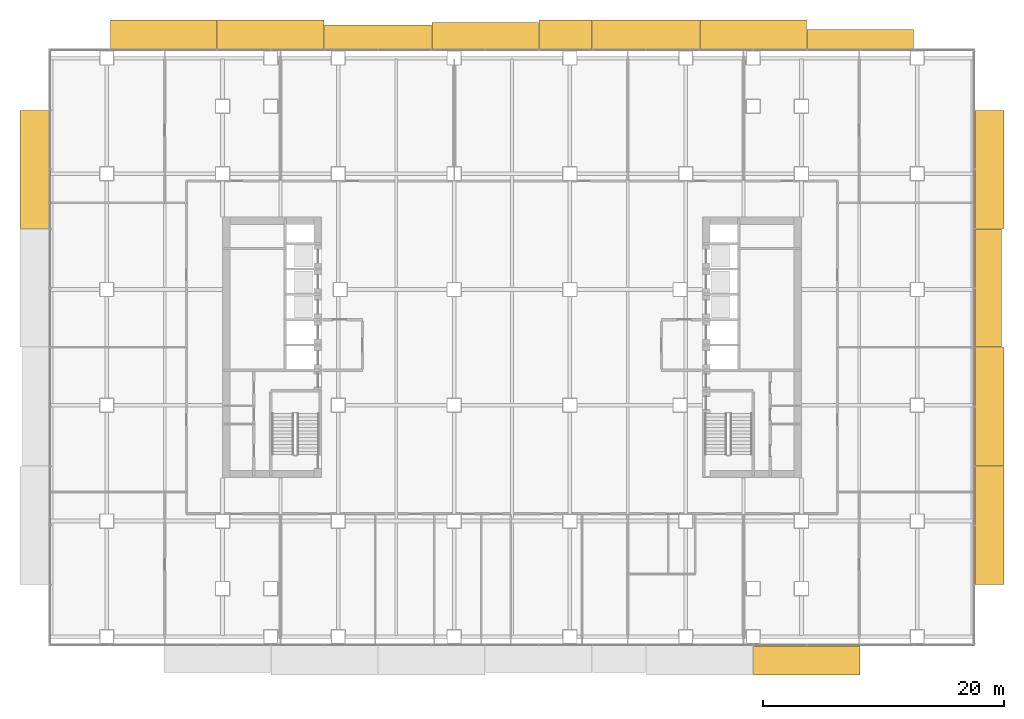
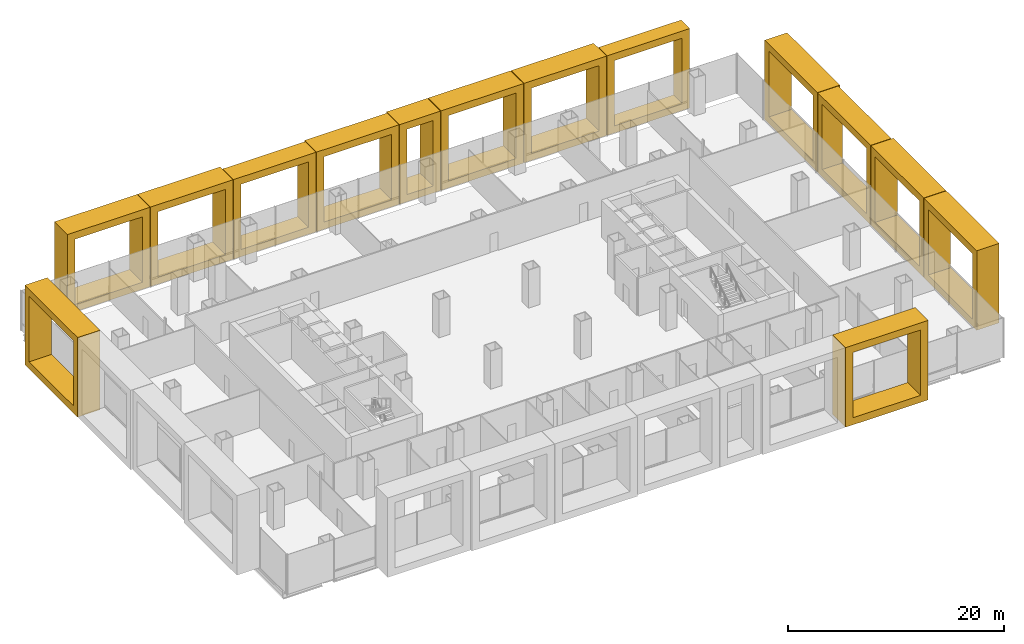
# One storey, part 22 of 23: 14 coverings.
"""IFC4 building model written with IfcOpenShell, lengths in metres."""

from ifc_helpers import new_model, si_unit, direction, frame, origin, place, context, subcontext, project, spatial, polyline, outline, extrude, material, type_object, element, save


model = new_model("IFC4")

# Units and contexts
model_context = context("Model", 3, precision=1e-05, world=origin(), true_north=direction((0.0, 1.0)))
body_context = subcontext(model_context, "Body", "Model", "MODEL_VIEW")
ifc_project = project(units=[si_unit("LENGTHUNIT", "METRE"), si_unit("AREAUNIT", "SQUARE_METRE"), si_unit("VOLUMEUNIT", "CUBIC_METRE"), si_unit("PLANEANGLEUNIT", "RADIAN"), si_unit("MASSUNIT", "GRAM", prefix="KILO")], contexts=[model_context])

# Site, building, storey
site_placement = place(None, origin())
site = spatial("IfcSite", under=ifc_project, at=site_placement, CompositionType="ELEMENT")
building_placement = place(site_placement, origin())
building = spatial("IfcBuilding", under=site, at=building_placement, Name="Cobrizo Arcos Hotel Tower", CompositionType="ELEMENT")
storey_placement = place(building_placement, frame((0.0, 0.0, 24.5)))
storey = spatial("IfcBuildingStorey", under=building, at=storey_placement, Name="L04", CompositionType="ELEMENT", Elevation=24.5)

# Coverings
ifc_material = material(Name="Aluminium 6063-T6 anodised bronze", Category="aluminium")
covering_type_1 = type_object("IfcCoveringType", Name="FIN-F 1600", PredefinedType="CLADDING", material=ifc_material)
covering_1_placement = place(storey_placement, frame((33.308349609375, 24.75, 0.0), z_axis=(0.0, 1.0, 0.0), x_axis=(-1.0, 0.0, 0.0)))
element("IfcCovering", 1, at=covering_1_placement, inside=storey, type_object=covering_type_1, Name="Fin frame 468", PredefinedType="CLADDING", context=body_context, shape_type="SweptSolid", body=[
    extrude(outline(polyline([(0.0, 9.0), (0.0, 0.0), (8.8388671875, 0.0), (8.8388671875, 9.0), (0.0, 9.0)]), holes=[polyline([(8.038818359375, 0.800048828125), (0.800048828125, 0.800048828125), (0.800048828125, 8.199951171875), (8.038818359375, 8.199951171875), (8.038818359375, 0.800048828125)])]), origin(), (0.0, 0.0, 1.0), 1.60009765625),
])
covering_type_2 = type_object("IfcCoveringType", Name="FIN-F 2000", PredefinedType="CLADDING", material=ifc_material)
covering_2_placement = place(storey_placement, frame((-6.691650390625, 24.75, 0.0), z_axis=(0.0, 1.0, 0.0), x_axis=(-1.0, 0.0, 0.0)))
element("IfcCovering", 2, at=covering_2_placement, inside=storey, type_object=covering_type_2, Name="Fin frame 473", PredefinedType="CLADDING", context=body_context, shape_type="SweptSolid", body=[
    extrude(outline(polyline([(0.0, 9.0), (0.0, 0.0), (8.8388671875, 0.0), (8.8388671875, 9.0), (0.0, 9.0)]), holes=[polyline([(8.038818359375, 0.800048828125), (0.800048828125, 0.800048828125), (0.800048828125, 8.199951171875), (8.038818359375, 8.199951171875), (8.038818359375, 0.800048828125)])]), origin(), (0.0, 0.0, 1.0), 2.0),
])
covering_type_3 = type_object("IfcCoveringType", Name="FIN-F 2200", PredefinedType="CLADDING", material=ifc_material)
covering_3_placement = place(storey_placement, frame((2.197265625, 24.75, 0.0), z_axis=(0.0, 1.0, 0.0), x_axis=(-1.0, 0.0, 0.0)))
element("IfcCovering", 3, at=covering_3_placement, inside=storey, type_object=covering_type_3, Name="Fin frame 472", PredefinedType="CLADDING", context=body_context, shape_type="SweptSolid", body=[
    extrude(outline(polyline([(0.0, 9.0), (0.0, 0.0), (8.8388671875, 0.0), (8.8388671875, 9.0), (0.0, 9.0)]), holes=[polyline([(8.038818359375, 0.800048828125), (0.800048828125, 0.800048828125), (0.800048828125, 8.199951171875), (8.038818359375, 8.199951171875), (8.038818359375, 0.800048828125)])]), origin(), (0.0, 0.0, 1.0), 2.199951171875),
])
covering_4_placement = place(storey_placement, frame((38.39990234375, 0.02490234375, 0.0), z_axis=(1.0, 0.0, 0.0), x_axis=(0.0, 1.0, 0.0)))
element("IfcCovering", 4, at=covering_4_placement, inside=storey, type_object=covering_type_3, Name="Fin frame 482", PredefinedType="CLADDING", context=body_context, shape_type="SweptSolid", body=[
    extrude(outline(polyline([(0.0, 9.0), (0.0, 0.0), (9.7900390625, 0.0), (9.7900390625, 9.0), (0.0, 9.0)]), holes=[polyline([(8.989990234375, 0.800048828125), (0.800048828125, 0.800048828125), (0.800048828125, 8.199951171875), (8.989990234375, 8.199951171875), (8.989990234375, 0.800048828125)])]), origin(), (0.0, 0.0, 1.0), 2.2001953125),
])
covering_type_4 = type_object("IfcCoveringType", Name="FIN-F 2400", PredefinedType="CLADDING", material=ifc_material)
for number, where, z_axis, x_axis, name in (
    (5, (24.41943359375, 24.75, 0.0), (0.0, 1.0, 0.0), (-1.0, 0.0, 0.0), "Fin frame 469"),
    (6, (15.530517578125, 24.75, 0.0), (0.0, 1.0, 0.0), (-1.0, 0.0, 0.0), "Fin frame 470"),
):
    element("IfcCovering", number, at=place(storey_placement, frame(where, z_axis=z_axis, x_axis=x_axis)), inside=storey, type_object=covering_type_4, Name=name, PredefinedType="CLADDING", context=body_context, shape_type="SweptSolid", body=[
        extrude(outline(polyline([(0.0, 9.0), (0.0, 0.0), (8.8388671875, 0.0), (8.8388671875, 9.0), (0.0, 9.0)]), holes=[polyline([(8.038818359375, 0.800048828125), (0.800048828125, 0.800048828125), (0.800048828125, 8.199951171875), (8.038818359375, 8.199951171875), (8.038818359375, 0.800048828125)])]), origin(), (0.0, 0.0, 1.0), 2.39990234375),
    ])
covering_5_placement = place(storey_placement, frame((6.6416015625, 24.75, 0.0), z_axis=(0.0, 1.0, 0.0), x_axis=(-1.0, 0.0, 0.0)))
element("IfcCovering", 7, at=covering_5_placement, inside=storey, type_object=covering_type_4, Name="Fin frame 471", PredefinedType="CLADDING", context=body_context, shape_type="SweptSolid", body=[
    extrude(outline(polyline([(0.0, 9.0), (0.0, 0.0), (4.394287109375, 0.0), (4.394287109375, 9.0), (0.0, 9.0)]), holes=[polyline([(3.594482421875, 0.800048828125), (0.800048828125, 0.800048828125), (0.800048828125, 8.199951171875), (3.594482421875, 8.199951171875), (3.594482421875, 0.800048828125)])]), origin(), (0.0, 0.0, 1.0), 2.39990234375),
])
for number, where, z_axis, x_axis, name in (
    (8, (-15.58056640625, 24.75, 0.0), (0.0, 1.0, 0.0), (-1.0, 0.0, 0.0), "Fin frame 474"),
    (9, (-24.469482421875, 24.75, 0.0), (0.0, 1.0, 0.0), (-1.0, 0.0, 0.0), "Fin frame 475"),
):
    element("IfcCovering", number, at=place(storey_placement, frame(where, z_axis=z_axis, x_axis=x_axis)), inside=storey, type_object=covering_type_4, Name=name, PredefinedType="CLADDING", context=body_context, shape_type="SweptSolid", body=[
        extrude(outline(polyline([(0.0, 9.0), (0.0, 0.0), (8.8388671875, 0.0), (8.8388671875, 9.0), (0.0, 9.0)]), holes=[polyline([(8.038818359375, 0.800048828125), (0.800048828125, 0.800048828125), (0.800048828125, 8.199951171875), (8.038818359375, 8.199951171875), (8.038818359375, 0.800048828125)])]), origin(), (0.0, 0.0, 1.0), 2.39990234375),
    ])
for number, where, z_axis, x_axis, name in (
    (10, (38.39990234375, -19.655029296875, 0.0), (1.0, 0.0, 0.0), (0.0, 1.0, 0.0), "Fin frame 480"),
    (11, (38.39990234375, -9.81494140625, 0.0), (1.0, 0.0, 0.0), (0.0, 1.0, 0.0), "Fin frame 481"),
    (12, (38.39990234375, 9.864990234375, 0.0), (1.0, 0.0, 0.0), (0.0, 1.0, 0.0), "Fin frame 483"),
):
    element("IfcCovering", number, at=place(storey_placement, frame(where, z_axis=z_axis, x_axis=x_axis)), inside=storey, type_object=covering_type_4, Name=name, PredefinedType="CLADDING", context=body_context, shape_type="SweptSolid", body=[
        extrude(outline(polyline([(0.0, 9.0), (0.0, 0.0), (9.7900390625, 0.0), (9.7900390625, 9.0), (0.0, 9.0)]), holes=[polyline([(8.989990234375, 0.800048828125), (0.800048828125, 0.800048828125), (0.800048828125, 8.199951171875), (8.989990234375, 8.199951171875), (8.989990234375, 0.800048828125)])]), origin(), (0.0, 0.0, 1.0), 2.400146484375),
    ])
covering_6_placement = place(storey_placement, frame((20.02490234375, -24.75, 0.0), z_axis=(0.0, -1.0, 0.0), x_axis=(1.0, 0.0, 0.0)))
element("IfcCovering", 13, at=covering_6_placement, inside=storey, type_object=covering_type_4, Name="Fin frame 504", PredefinedType="CLADDING", context=body_context, shape_type="SweptSolid", body=[
    extrude(outline(polyline([(0.0, 9.0), (0.0, 0.0), (8.8388671875, 0.0), (8.8388671875, 9.0), (0.0, 9.0)]), holes=[polyline([(8.038818359375, 0.800048828125), (0.800048828125, 0.800048828125), (0.800048828125, 8.199951171875), (8.038818359375, 8.199951171875), (8.038818359375, 0.800048828125)])]), origin(), (0.0, 0.0, 1.0), 2.39990234375),
])
covering_7_placement = place(storey_placement, frame((-38.39990234375, 19.655029296875, 0.0), z_axis=(-1.0, 0.0, 0.0), x_axis=(0.0, -1.0, 0.0)))
element("IfcCovering", 14, at=covering_7_placement, inside=storey, type_object=covering_type_4, Name="Fin frame 509", PredefinedType="CLADDING", context=body_context, shape_type="SweptSolid", body=[
    extrude(outline(polyline([(0.0, 9.0), (0.0, 0.0), (9.7900390625, 0.0), (9.7900390625, 9.0), (0.0, 9.0)]), holes=[polyline([(8.989990234375, 0.800048828125), (0.800048828125, 0.800048828125), (0.800048828125, 8.199951171875), (8.989990234375, 8.199951171875), (8.989990234375, 0.800048828125)])]), origin(), (0.0, 0.0, 1.0), 2.400146484375),
])

save(model, "model.ifc")
